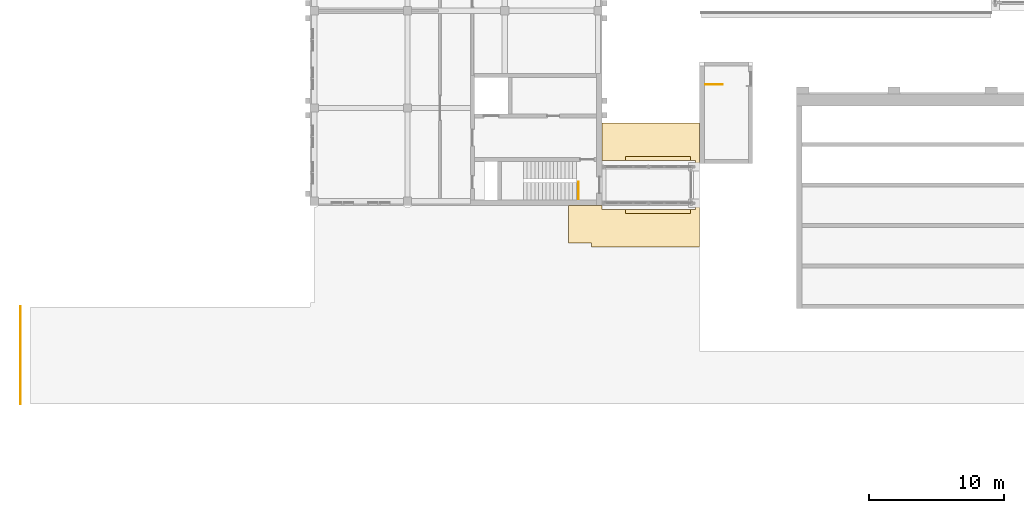
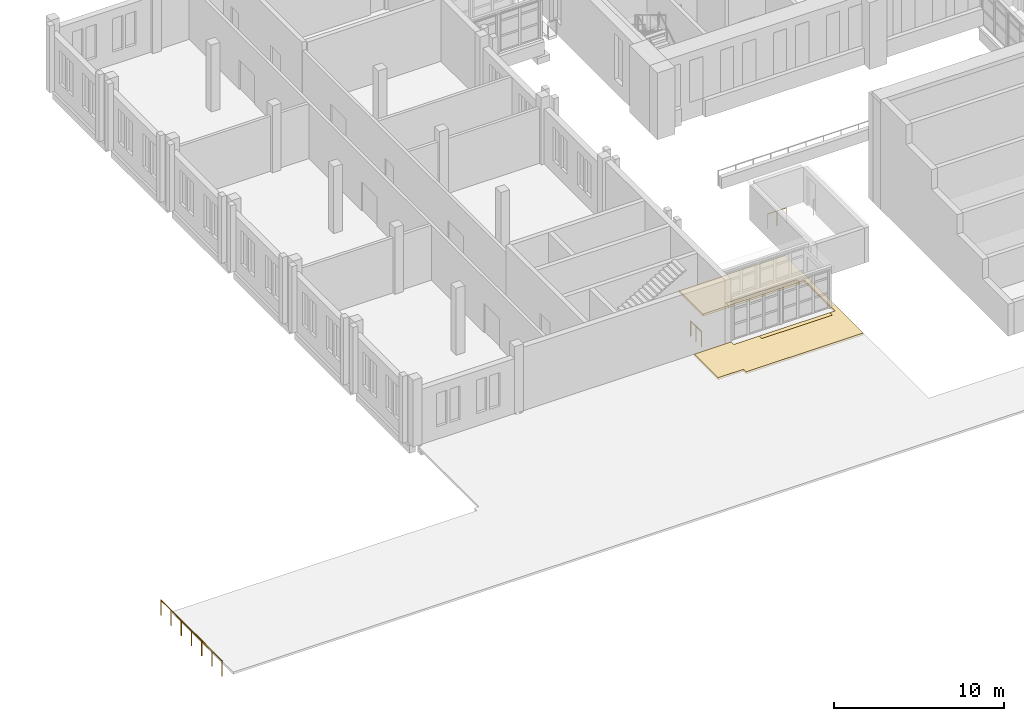
# One storey, part 113 of 131: 3 coverings, 3 railings.
"""IFC4 building model written with IfcOpenShell, lengths in metres."""

import ifcopenshell
import ifcopenshell.guid

model = None  # the IFC model being written
_history = None  # IfcOwnerHistory: only IFC2X3 demands one
_inside = {}  # id of a spatial element -> (the spatial element, [elements in it])
_under = {}  # id of a project, library or spatial element -> (it, [spatial elements below it])
_declared = {}  # id of a project -> (the project, [libraries it declares])
_typed = {}  # id of a type object -> (the type object, [elements of that type])
_made_of = {}  # id of a material, layer set ... -> (it, [elements and type objects made of it])


def new_model(schema):
    """Start an empty IFC model of exactly this schema.

    Asked for "IFC4X3", IfcOpenShell would pick the latest addendum, in which some entities
    have other attributes; the version numbers below select the first issue.
    IFC2X3 requires an IfcOwnerHistory on every rooted entity: one is made here for all.
    """
    global model, _history
    if schema == "IFC4X3":
        model = ifcopenshell.file(schema_version=(4, 3, 0, 0))
    else:
        model = ifcopenshell.file(schema=schema)
    _inside.clear()
    _under.clear()
    _declared.clear()
    _typed.clear()
    _made_of.clear()
    _history = None
    if model.schema == "IFC2X3":
        org = make("IfcOrganization", Name="unknown")
        user = make(
            "IfcPersonAndOrganization",
            ThePerson=make("IfcPerson", FamilyName="unknown"),
            TheOrganization=org,
        )
        app = make(
            "IfcApplication",
            ApplicationDeveloper=org,
            Version="unknown",
            ApplicationFullName="unknown",
            ApplicationIdentifier="unknown",
        )
        _history = make(
            "IfcOwnerHistory",
            OwningUser=user,
            OwningApplication=app,
            ChangeAction="ADDED",
            CreationDate=0,
        )
    return model


def make(cls, **values):
    """One entity of the class cls with the attributes given. An attribute that is None is left unset."""
    return model.create_entity(
        cls, **{name: value for name, value in values.items() if value is not None}
    )


def rooted(cls, **values):
    """An entity with a GlobalId (a new one), such as an element, a storey or a relation."""
    return make(cls, GlobalId=ifcopenshell.guid.new(), OwnerHistory=_history, **values)


def si_unit(unit_type, name, prefix=None):
    """IfcSIUnit, for example si_unit("LENGTHUNIT", "METRE", prefix="MILLI")."""
    return make("IfcSIUnit", UnitType=unit_type, Prefix=prefix, Name=name)


def assignment(units):
    """IfcUnitAssignment: the units of a project."""
    return None if units is None else make("IfcUnitAssignment", Units=units)


def point(xyz):
    """IfcCartesianPoint."""
    return None if xyz is None else make("IfcCartesianPoint", Coordinates=xyz)


def direction(xyz):
    """IfcDirection."""
    return None if xyz is None else make("IfcDirection", DirectionRatios=xyz)


def frame(location, z_axis=None, x_axis=None):
    """IfcAxis2Placement3D, a coordinate frame: its origin and axes. An axis left out is left unset."""
    return make(
        "IfcAxis2Placement3D",
        Location=point(location),
        Axis=direction(z_axis),
        RefDirection=direction(x_axis),
    )


def frame_2d(location, x_axis=None):
    """IfcAxis2Placement2D, a coordinate frame in the plane: its origin and x axis."""
    return make(
        "IfcAxis2Placement2D", Location=point(location), RefDirection=direction(x_axis)
    )


def origin():
    """The frame at (0, 0, 0) with its axes left unset."""
    return frame((0.0, 0.0, 0.0))


def origin_2d():
    """The frame at (0, 0) in the plane with its x axis left unset."""
    return frame_2d((0.0, 0.0))


def place(relative_to, where):
    """IfcLocalPlacement: puts the frame where relative to a parent placement (None: the world)."""
    return make(
        "IfcLocalPlacement", PlacementRelTo=relative_to, RelativePlacement=where
    )


def context(
    kind, dimensions, precision=None, world=None, true_north=None, identifier=None
):
    """IfcGeometricRepresentationContext, for example the 3D "Model" context."""
    return make(
        "IfcGeometricRepresentationContext",
        ContextIdentifier=identifier,
        ContextType=kind,
        CoordinateSpaceDimension=dimensions,
        Precision=precision,
        WorldCoordinateSystem=world,
        TrueNorth=true_north,
    )


def subcontext(parent, identifier, kind, view, scale=None):
    """IfcGeometricRepresentationSubContext, for example "Body" below "Model"."""
    return make(
        "IfcGeometricRepresentationSubContext",
        ContextIdentifier=identifier,
        ContextType=kind,
        ParentContext=parent,
        TargetScale=scale,
        TargetView=view,
    )


def project(units=None, contexts=None):
    """IfcProject with its units and contexts."""
    return rooted(
        "IfcProject",
        Name="project",
        RepresentationContexts=contexts,
        UnitsInContext=assignment(units),
    )


def spatial(cls, under=None, at=None, **own):
    """A site, building, storey or space (cls), placed at a placement, below another one or the project."""
    s = rooted(cls, ObjectPlacement=at, **own)
    if under is not None:
        _under.setdefault(under.id(), (under, []))[1].append(s)
    return s


def polyline(points):
    """IfcPolyline through the points."""
    return make("IfcPolyline", Points=[point(p) for p in points])


def profile(cls, at=None, kind="AREA", **sizes):
    """A parametric profile (cls). Its sizes go by their IFC names, for example OverallWidth=200.0."""
    return make(cls, ProfileType=kind, Position=at, **sizes)


def circle(**sizes):
    """IfcCircleProfileDef."""
    return profile("IfcCircleProfileDef", **sizes)


def outline(outer, holes=None, kind="AREA"):
    """IfcArbitraryClosedProfileDef: a profile drawn as a closed curve; with holes, ...WithVoids."""
    if holes is None:
        return make("IfcArbitraryClosedProfileDef", ProfileType=kind, OuterCurve=outer)
    return make(
        "IfcArbitraryProfileDefWithVoids",
        ProfileType=kind,
        OuterCurve=outer,
        InnerCurves=holes,
    )


def extrude(swept, where, along, depth):
    """IfcExtrudedAreaSolid: the profile swept, set in the frame where, extruded along a direction by depth."""
    return make(
        "IfcExtrudedAreaSolid",
        SweptArea=swept,
        Position=where,
        ExtrudedDirection=direction(along),
        Depth=depth,
    )


def shape(context_of_items, identifier, shape_type, items):
    """IfcShapeRepresentation: the items that make up one representation, for example the "Body"."""
    return make(
        "IfcShapeRepresentation",
        ContextOfItems=context_of_items,
        RepresentationIdentifier=identifier,
        RepresentationType=shape_type,
        Items=items,
    )


def material(Name=None, Category=None):
    """IfcMaterial."""
    return make("IfcMaterial", Name=Name, Category=Category)


def layer(
    of_material, thickness, ventilated=None, Name=None, Category=None, Priority=None
):
    """IfcMaterialLayer: one layer of a wall or slab, of a material (None: an air gap)."""
    return make(
        "IfcMaterialLayer",
        Material=of_material,
        LayerThickness=thickness,
        IsVentilated=ventilated,
        Name=Name,
        Category=Category,
        Priority=Priority,
    )


def layer_set(layers, Name=None):
    """IfcMaterialLayerSet."""
    return make("IfcMaterialLayerSet", MaterialLayers=layers, LayerSetName=Name)


def made_of(thing, what):
    """Note that an element or type object is made of a material, layer set ...; save() writes the relation."""
    if what is not None:
        _made_of.setdefault(what.id(), (what, []))[1].append(thing)
    return thing


def type_object(cls, material=None, **own):
    """A type object (cls), such as IfcWallType, which elements share."""
    return made_of(rooted(cls, **own), material)


def element(
    cls,
    number,
    at=None,
    inside=None,
    cuts=None,
    type_object=None,
    material=None,
    context=None,
    identifier="Body",
    shape_type=None,
    held_by="IfcProductDefinitionShape",
    body=None,
    shapes=None,
    **own,
):
    """One element of the class cls, such as IfcWall. Its Tag is "e" and its number.

    at: its placement. inside: the storey or other place that contains it. cuts: it is an
    opening in that element (IfcRelVoidsElement). A single representation is given by context,
    identifier, shape_type and body (its items); several are given by shapes. held_by: the class
    of the entity that holds the representations. save() writes the other relations.
    """
    e = rooted(cls, Tag="e%d" % number, ObjectPlacement=at, **own)
    if body is not None:
        shapes = [shape(context, identifier, shape_type, body)]
    if shapes is not None:
        e.Representation = make(held_by, Representations=shapes)
    if inside is not None:
        _inside.setdefault(inside.id(), (inside, []))[1].append(e)
    if cuts is not None:
        rooted(
            "IfcRelVoidsElement", RelatingBuildingElement=cuts, RelatedOpeningElement=e
        )
    if type_object is not None:
        _typed.setdefault(type_object.id(), (type_object, []))[1].append(e)
    return made_of(e, material)


def aggregate(whole, parts):
    """IfcRelAggregates: a whole, such as a stair, and the parts it consists of."""
    return rooted("IfcRelAggregates", RelatingObject=whole, RelatedObjects=parts)


def save(model, path):
    """Write the relations noted so far, then the file.

    IfcRelAggregates (storeys below a building ...), IfcRelContainedInSpatialStructure (elements
    in a storey), IfcRelDefinesByType, IfcRelAssociatesMaterial and IfcRelDeclares: one each for
    every whole, place, type object, material and project.
    """
    for whole, parts in _under.values():
        aggregate(whole, parts)
    for where, things in _inside.values():
        rooted(
            "IfcRelContainedInSpatialStructure",
            RelatedElements=things,
            RelatingStructure=where,
        )
    for kind, things in _typed.values():
        rooted("IfcRelDefinesByType", RelatedObjects=things, RelatingType=kind)
    for what, things in _made_of.values():
        rooted("IfcRelAssociatesMaterial", RelatedObjects=things, RelatingMaterial=what)
    for by, libraries in _declared.values():
        rooted("IfcRelDeclares", RelatingContext=by, RelatedDefinitions=libraries)
    model.write(path)


model = new_model("IFC4")

# Units and contexts
model_context = context("Model", 3, precision=1e-05, world=origin(), true_north=direction((0.0, 1.0)))
body_context = subcontext(model_context, "Body", "Model", "MODEL_VIEW")
ifc_project = project(units=[si_unit("LENGTHUNIT", "METRE"), si_unit("AREAUNIT", "SQUARE_METRE"), si_unit("VOLUMEUNIT", "CUBIC_METRE"), si_unit("PLANEANGLEUNIT", "RADIAN"), si_unit("MASSUNIT", "GRAM", prefix="KILO")], contexts=[model_context])

# Site, building, storey
site_placement = place(None, origin())
site = spatial("IfcSite", under=ifc_project, at=site_placement, CompositionType="ELEMENT")
building_placement = place(site_placement, origin())
building = spatial("IfcBuilding", under=site, at=building_placement, Name="Alderwick Market Hall", CompositionType="ELEMENT")
storey_placement = place(building_placement, frame((0.0, 0.0, 4.800048828125)))
storey = spatial("IfcBuildingStorey", under=building, at=storey_placement, Name="L00", CompositionType="ELEMENT", Elevation=4.800048828125)

# Railings
ifc_material_1 = material(Name="Steel ASTM A500 Grade C", Category="steel")
railing_type_1 = type_object("IfcRailingType", Name="A Roof Guard 1100", PredefinedType="GUARDRAIL", material=ifc_material_1)
railing_1_placement = place(storey_placement, frame((50.85009765625, 37.75, 0.0)))
element("IfcRailing", 1, at=railing_1_placement, inside=storey, type_object=railing_type_1, Name="Stair well guard", PredefinedType="GUARDRAIL", context=body_context, shape_type="SweptSolid", body=[
    extrude(circle(Radius=0.02392578125, at=origin_2d()), frame((0.0, 0.0, 1.076171875), z_axis=(1.0, 0.0, 0.0), x_axis=(0.0, 1.0, 0.0)), (0.0, 0.0, 1.0), 1.27001953125),
    extrude(circle(Radius=0.02099609375, at=origin_2d()), origin(), (0.0, 0.0, 1.0), 1.052001953125),
    extrude(circle(Radius=0.02099609375, at=origin_2d()), frame((0.635009765625, 0.0, 0.0)), (0.0, 0.0, 1.0), 1.052001953125),
    extrude(circle(Radius=0.02099609375, at=origin_2d()), frame((1.27001953125, 0.0, 0.0)), (0.0, 0.0, 1.0), 1.052001953125),
])
railing_type_2 = type_object("IfcRailingType", Name="B Stair Guard 1100", PredefinedType="GUARDRAIL", material=ifc_material_1)
railing_2_placement = place(storey_placement, frame((41.449951171875, 29.25, 0.0)))
element("IfcRailing", 2, at=railing_2_placement, inside=storey, type_object=railing_type_2, Name="Stair well guard", PredefinedType="GUARDRAIL", context=body_context, shape_type="SweptSolid", body=[
    extrude(circle(Radius=0.02392578125, at=origin_2d()), frame((0.0, 0.0, 1.076171875), z_axis=(0.0, 1.0, 0.0), x_axis=(-1.0, 0.0, 0.0)), (0.0, 0.0, 1.0), 1.27001953125),
    extrude(circle(Radius=0.02099609375, at=origin_2d()), origin(), (0.0, 0.0, 1.0), 1.052001953125),
    extrude(circle(Radius=0.02099609375, at=origin_2d()), frame((0.0, 0.635009765625, 0.0)), (0.0, 0.0, 1.0), 1.052001953125),
    extrude(circle(Radius=0.02099609375, at=origin_2d()), frame((0.0, 1.27001953125, 0.0)), (0.0, 0.0, 1.0), 1.052001953125),
])

# Coverings
ifc_material_2 = material(Name="Granite setts on concrete bed", Category="masonry")
ifc_layer_1 = layer(ifc_material_2, 0.14990234375)
ifc_layer_set_1 = layer_set([ifc_layer_1], Name="Granite setts on concrete bed")
covering_type_1 = type_object("IfcCoveringType", Name="S Forecourt Paving 150", PredefinedType="USERDEFINED", material=ifc_layer_set_1)
covering_1_placement = place(storey_placement, frame((0.0, 0.0, -0.150146484375)))
element("IfcCovering", 3, at=covering_1_placement, inside=storey, type_object=covering_type_1, Name="Forecourt 22", ObjectType="PAVING", PredefinedType="USERDEFINED", context=body_context, shape_type="SweptSolid", body=[
    extrude(outline(polyline([(49.72998046875, 28.199951171875), (49.72998046875, 28.5), (44.929931640625, 28.5), (44.929931640625, 28.199951171875), (49.72998046875, 28.199951171875)])), origin(), (0.0, 0.0, 1.0), 0.150146484375),
])
covering_2_placement = place(storey_placement, frame((0.0, 0.0, -0.150146484375)))
element("IfcCovering", 4, at=covering_2_placement, inside=storey, type_object=covering_type_1, Name="Forecourt 25", ObjectType="PAVING", PredefinedType="USERDEFINED", context=body_context, shape_type="SweptSolid", body=[
    extrude(outline(polyline([(44.929931640625, 32.39990234375), (44.929931640625, 32.10009765625), (49.72998046875, 32.10009765625), (49.72998046875, 32.39990234375), (44.929931640625, 32.39990234375)])), origin(), (0.0, 0.0, 1.0), 0.150146484375),
])

# Railing
railing_type_3 = type_object("IfcRailingType", Name="S Guard 1100", PredefinedType="GUARDRAIL", material=ifc_material_1)
railing_3_placement = place(storey_placement, frame((0.14990234375, 14.10009765625, 0.0)))
element("IfcRailing", 5, at=railing_3_placement, inside=storey, type_object=railing_type_3, Name="Guard W06a", PredefinedType="GUARDRAIL", context=body_context, shape_type="SweptSolid", body=[
    extrude(circle(Radius=0.02490234375, at=origin_2d()), frame((0.0, 0.0, 1.0751953125), z_axis=(0.0, 1.0, 0.0), x_axis=(-1.0, 0.0, 0.0)), (0.0, 0.0, 1.0), 7.199951171875),
    extrude(circle(Radius=0.02001953125, at=origin_2d()), origin(), (0.0, 0.0, 1.0), 1.050048828125),
    extrude(circle(Radius=0.02001953125, at=origin_2d()), frame((0.0, 1.199951171875, 0.0)), (0.0, 0.0, 1.0), 1.050048828125),
    extrude(circle(Radius=0.02001953125, at=origin_2d()), frame((0.0, 2.39990234375, 0.0)), (0.0, 0.0, 1.0), 1.050048828125),
    extrude(circle(Radius=0.02001953125, at=origin_2d()), frame((0.0, 3.60009765625, 0.0)), (0.0, 0.0, 1.0), 1.050048828125),
    extrude(circle(Radius=0.02001953125, at=origin_2d()), frame((0.0, 4.800048828125, 0.0)), (0.0, 0.0, 1.0), 1.050048828125),
    extrude(circle(Radius=0.02001953125, at=origin_2d()), frame((0.0, 6.0, 0.0)), (0.0, 0.0, 1.0), 1.050048828125),
    extrude(circle(Radius=0.02001953125, at=origin_2d()), frame((0.0, 7.199951171875, 0.0)), (0.0, 0.0, 1.0), 1.050048828125),
])

# Covering
ifc_material_3 = material(Name="Turf on topsoil")
ifc_layer_2 = layer(ifc_material_3, 0.14990234375)
ifc_layer_set_2 = layer_set([ifc_layer_2], Name="Turf on topsoil")
covering_type_2 = type_object("IfcCoveringType", Name="S Lawn Turf 150", PredefinedType="USERDEFINED", material=ifc_layer_set_2)
covering_3_placement = place(storey_placement, frame((0.0, 0.0, -0.150146484375)))
element("IfcCovering", 6, at=covering_3_placement, inside=storey, type_object=covering_type_2, Name="Lawn 18", ObjectType="LAWN", PredefinedType="USERDEFINED", context=body_context, shape_type="SweptSolid", body=[
    extrude(outline(polyline([(42.429931640625, 26.0), (42.429931640625, 25.699951171875), (50.39990234375, 25.699951171875), (50.39990234375, 34.89990234375), (43.199951171875, 34.89990234375), (43.199951171875, 32.10009765625), (44.929931640625, 32.10009765625), (44.929931640625, 32.39990234375), (49.72998046875, 32.39990234375), (49.72998046875, 32.10009765625), (50.10009765625, 32.10009765625), (50.10009765625, 28.5), (49.72998046875, 28.5), (49.72998046875, 28.199951171875), (44.929931640625, 28.199951171875), (44.929931640625, 28.5), (43.199951171875, 28.5), (43.199951171875, 28.800048828125), (40.699951171875, 28.800048828125), (40.699951171875, 26.0), (42.429931640625, 26.0)])), origin(), (0.0, 0.0, 1.0), 0.150146484375),
])

save(model, "model.ifc")
